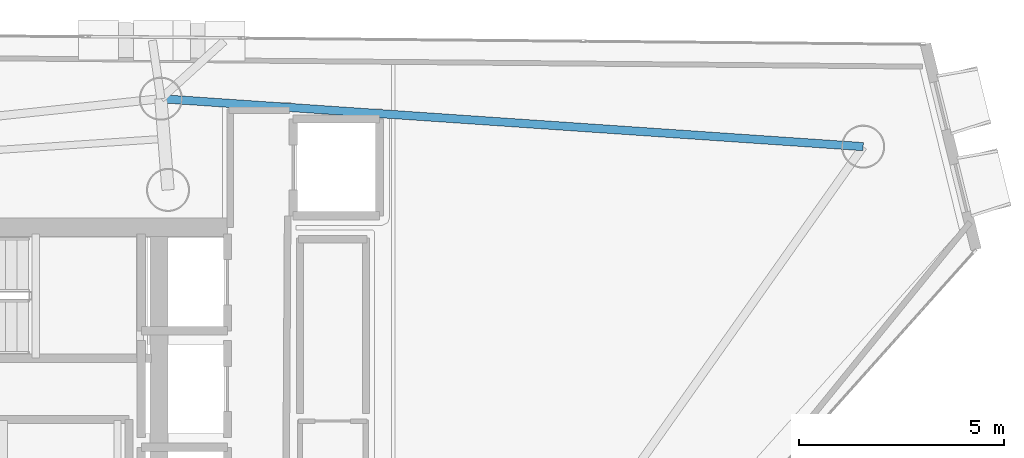
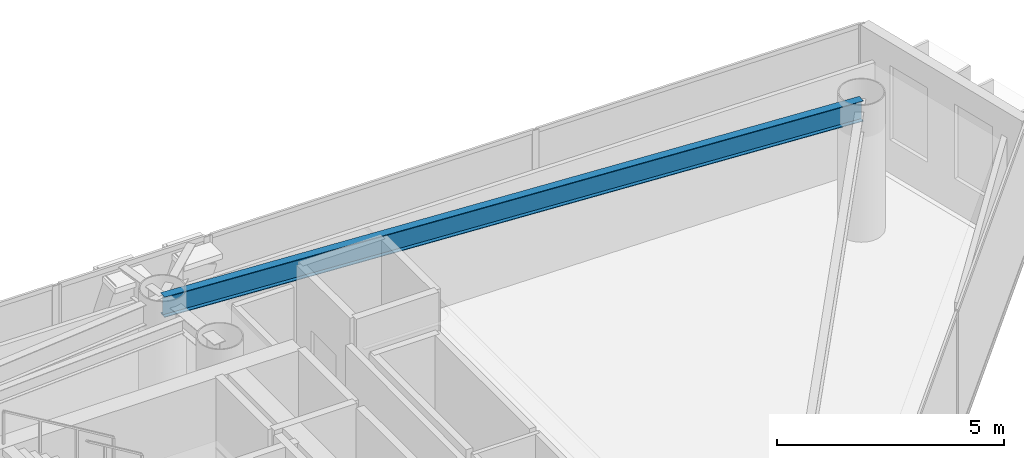
# One storey, part 13 of 21: 1 beam.
"""IFC4 building model written with IfcOpenShell, lengths in metres."""

from ifc_helpers import new_model, si_unit, direction, frame, origin, origin_2d, place, context, subcontext, project, spatial, i_section, extrude, material, material_profile, profile_set, type_object, element, save


model = new_model("IFC4")

# Units and contexts
model_context = context("Model", 3, precision=1e-05, world=origin(), true_north=direction((0.0, 1.0)))
body_context = subcontext(model_context, "Body", "Model", "MODEL_VIEW")
ifc_project = project(units=[si_unit("LENGTHUNIT", "METRE"), si_unit("AREAUNIT", "SQUARE_METRE"), si_unit("VOLUMEUNIT", "CUBIC_METRE"), si_unit("PLANEANGLEUNIT", "RADIAN"), si_unit("MASSUNIT", "GRAM", prefix="KILO")], contexts=[model_context])

# Site, building, storey
site_placement = place(None, origin())
site = spatial("IfcSite", under=ifc_project, at=site_placement, CompositionType="ELEMENT")
building_placement = place(site_placement, origin())
building = spatial("IfcBuilding", under=site, at=building_placement, Name="Qianvela Tower", CompositionType="ELEMENT")
storey_placement = place(building_placement, frame((0.0, 0.0, 250.10009765625)))
storey = spatial("IfcBuildingStorey", under=building, at=storey_placement, Name="L64", CompositionType="ELEMENT", Elevation=250.10009765625)

# Beam
ifc_material = material(Name="Steel Q355B", Category="steel")
ifc_material_profile = material_profile(ifc_material, i_section(OverallWidth=0.199951171875, OverallDepth=0.550048828125, WebThickness=0.010009765625, FlangeThickness=0.01611328125, at=origin_2d()), Name="HN550x200x10x16")
ifc_profile_set = profile_set([ifc_material_profile], Name="Steel Q355B")
beam_type = type_object("IfcBeamType", Name="BM-HN550-GIRD", PredefinedType="BEAM", material=ifc_profile_set)
beam_placement = place(storey_placement, frame((55.33203125, 34.60498046875, 3.242919921875), z_axis=(-0.997677407473, 0.068116008525, 0.0), x_axis=(-0.068116008525, -0.997677407473, 0.0)))
element("IfcBeam", 1, at=beam_placement, inside=storey, type_object=beam_type, Name="L64 Perimeter Ring Spandrel Girder 1", PredefinedType="BEAM", context=body_context, shape_type="SweptSolid", body=[
    extrude(i_section(OverallWidth=0.199951171875, OverallDepth=0.550048828125, WebThickness=0.010009765625, FlangeThickness=0.01611328125, at=origin_2d()), origin(), (0.0, 0.0, 1.0), 17.146728515625),
])

save(model, "model.ifc")
